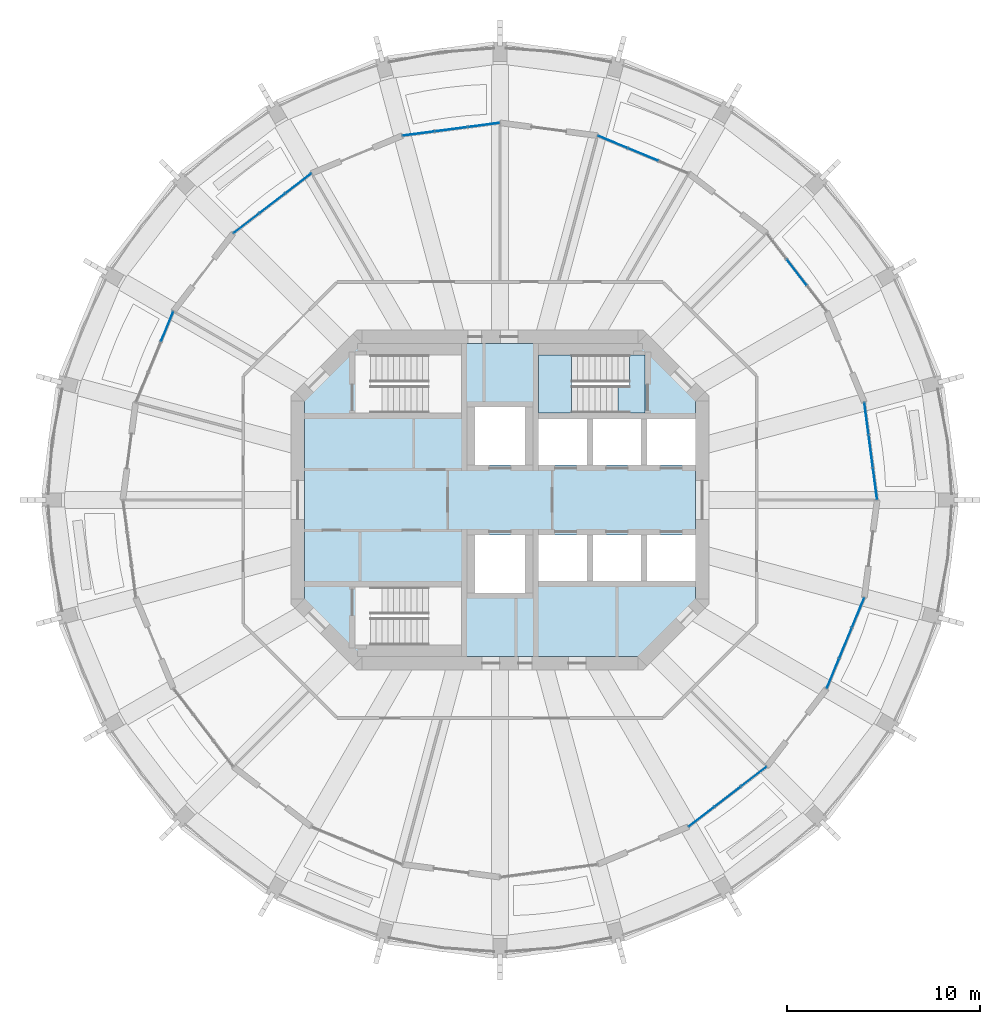
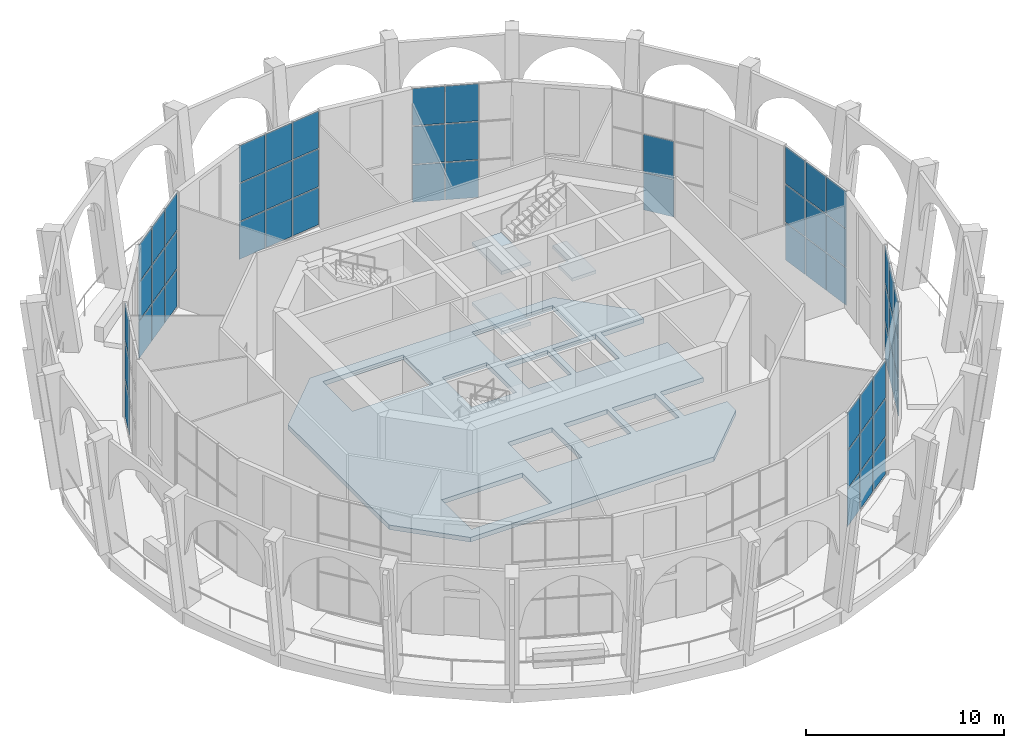
# One storey, part 8 of 16: 56 plates, 4 slabs, 9 elements without a shape of their own.
"""IFC4 building model written with IfcOpenShell, lengths in metres."""

from ifc_helpers import new_model, si_unit, direction, frame, origin, origin_2d, place, context, subcontext, project, spatial, polyline, rectangle, outline, extrude, material, layer, layer_set, type_object, element, aggregate, save


model = new_model("IFC4")

# Units and contexts
model_context = context("Model", 3, precision=1e-05, world=origin(), true_north=direction((0.0, 1.0)))
body_context = subcontext(model_context, "Body", "Model", "MODEL_VIEW")
ifc_project = project(units=[si_unit("LENGTHUNIT", "METRE"), si_unit("AREAUNIT", "SQUARE_METRE"), si_unit("VOLUMEUNIT", "CUBIC_METRE"), si_unit("PLANEANGLEUNIT", "RADIAN"), si_unit("MASSUNIT", "GRAM", prefix="KILO")], contexts=[model_context])

# Site, building, storey
site_placement = place(None, origin())
site = spatial("IfcSite", under=ifc_project, at=site_placement, CompositionType="ELEMENT")
building_placement = place(site_placement, origin())
building = spatial("IfcBuilding", under=site, at=building_placement, Name="Torre Triforio", CompositionType="ELEMENT")
storey_placement = place(building_placement, frame((0.0, 0.0, 218.699951171875)))
storey = spatial("IfcBuildingStorey", under=building, at=storey_placement, Name="L50", CompositionType="ELEMENT", Elevation=218.699951171875)

# Slab
ifc_material_1 = material(Name="Concrete C50", Category="concrete")
ifc_layer_1 = layer(ifc_material_1, 0.280029296875)
ifc_layer_set_1 = layer_set([ifc_layer_1], Name="Concrete C50")
slab_type_1 = type_object("IfcSlabType", Name="Core floor slab 280 mm C50 REI 120", PredefinedType="FLOOR", material=ifc_layer_set_1)
slab_1_placement = place(storey_placement, frame((0.0, 0.0, -0.280029296875)))
element("IfcSlab", 1, at=slab_1_placement, inside=storey, type_object=slab_type_1, Name="Core floor slab", PredefinedType="FLOOR", context=body_context, shape_type="SweptSolid", body=[
    extrude(outline(polyline([(10.10009765625, -5.10009765625), (7.10009765625, -8.10009765625), (-7.10009765625, -8.10009765625), (-10.10009765625, -5.10009765625), (-10.10009765625, 5.10009765625), (-7.10009765625, 8.10009765625), (7.10009765625, 8.10009765625), (10.10009765625, 5.10009765625), (10.10009765625, 4.199951171875), (7.60009765625, 4.199951171875), (7.60009765625, 1.800048828125), (10.10009765625, 1.800048828125), (10.10009765625, -1.800048828125), (7.60009765625, -1.800048828125), (7.60009765625, -4.199951171875), (10.10009765625, -4.199951171875), (10.10009765625, -5.10009765625)]), holes=[polyline([(-6.696044921875, -4.5), (-6.696044921875, -7.5), (-2.0, -7.5), (-2.0, -4.5), (-6.696044921875, -4.5)]), polyline([(-1.300048828125, -1.800048828125), (-1.300048828125, -4.800048828125), (1.300048828125, -4.800048828125), (1.300048828125, -1.800048828125), (-1.300048828125, -1.800048828125)]), polyline([(2.0, -1.800048828125), (2.0, -4.199951171875), (4.5, -4.199951171875), (4.5, -1.800048828125), (2.0, -1.800048828125)]), polyline([(4.5, 4.199951171875), (2.0, 4.199951171875), (2.0, 1.800048828125), (4.5, 1.800048828125), (4.5, 4.199951171875)]), polyline([(1.300048828125, 4.800048828125), (-1.300048828125, 4.800048828125), (-1.300048828125, 1.800048828125), (1.300048828125, 1.800048828125), (1.300048828125, 4.800048828125)]), polyline([(-6.696044921875, 7.5), (-6.696044921875, 4.5), (-2.0, 4.5), (-2.0, 7.5), (-6.696044921875, 7.5)]), polyline([(7.300048828125, -1.800048828125), (4.800048828125, -1.800048828125), (4.800048828125, -4.199951171875), (7.300048828125, -4.199951171875), (7.300048828125, -1.800048828125)]), polyline([(4.800048828125, 4.199951171875), (4.800048828125, 1.800048828125), (7.300048828125, 1.800048828125), (7.300048828125, 4.199951171875), (4.800048828125, 4.199951171875)]), polyline([(6.696044921875, 7.5), (2.0, 7.5), (2.0, 4.5), (6.696044921875, 4.5), (6.696044921875, 7.5)])]), origin(), (0.0, 0.0, 1.0), 0.280029296875),
])

# Curtain wall, plates
ifc_material_2 = material(Name="Aluminium mullion and transom frame with clear laminated glass", Category="aluminium")
curtain_wall_type = type_object("IfcCurtainWallType", Name="Sky garden conservatory wall ECW3", PredefinedType="NOTDEFINED", material=ifc_material_2)
curtain_wall_1_placement = place(storey_placement, origin())
curtain_wall_1 = element("IfcCurtainWall", 2, at=curtain_wall_1_placement, inside=storey, type_object=curtain_wall_type, Name="Conservatory wall L50 bay 01", PredefinedType="NOTDEFINED")
ifc_material_3 = material(Name="Clear laminated glass", Category="glass")
ifc_layer_2 = layer(ifc_material_3, 0.028076171875)
ifc_layer_set_2 = layer_set([ifc_layer_2], Name="Clear laminated glass")
plate_type = type_object("IfcPlateType", Name="ECW3 glass panel 28", PredefinedType="CURTAIN_PANEL", material=ifc_layer_set_2)
plate_1_placement = place(storey_placement, frame((19.389892578125, 0.836181640625, 0.06005859375), z_axis=(0.0, 0.0, 1.0), x_axis=(-0.130531857834, 0.991444115465, 0.0)))
plate_1 = element("IfcPlate", 3, at=plate_1_placement, type_object=plate_type, Name="ECW3 panel 1.1", PredefinedType="CURTAIN_PANEL", context=body_context, shape_type="SweptSolid", body=[
    extrude(rectangle(XDim=1.626708984375, YDim=0.028076171875, at=origin_2d()), origin(), (0.0, 0.0, 1.0), 2.283203125),
])
plate_2_placement = place(storey_placement, frame((19.389892578125, 0.836181640625, 2.4033203125), z_axis=(0.0, 0.0, 1.0), x_axis=(-0.130531857834, 0.991444115465, 0.0)))
plate_2 = element("IfcPlate", 4, at=plate_2_placement, type_object=plate_type, Name="ECW3 panel 1.2", PredefinedType="CURTAIN_PANEL", context=body_context, shape_type="SweptSolid", body=[
    extrude(rectangle(XDim=1.626708984375, YDim=0.028076171875, at=origin_2d()), origin(), (0.0, 0.0, 1.0), 2.3134765625),
])
plate_3_placement = place(storey_placement, frame((19.389892578125, 0.836181640625, 4.77685546875), z_axis=(0.0, 0.0, 1.0), x_axis=(-0.130531857834, 0.991444115465, 0.0)))
plate_3 = element("IfcPlate", 5, at=plate_3_placement, type_object=plate_type, Name="ECW3 panel 1.3", PredefinedType="CURTAIN_PANEL", context=body_context, shape_type="SweptSolid", body=[
    extrude(rectangle(XDim=1.626708984375, YDim=0.028076171875, at=origin_2d()), origin(), (0.0, 0.0, 1.0), 2.283203125),
])
plate_4_placement = place(storey_placement, frame((19.167724609375, 2.5234375, 0.06005859375), z_axis=(0.0, 0.0, 1.0), x_axis=(-0.130531857834, 0.991444115465, 0.0)))
plate_4 = element("IfcPlate", 6, at=plate_4_placement, type_object=plate_type, Name="ECW3 panel 2.1", PredefinedType="CURTAIN_PANEL", context=body_context, shape_type="SweptSolid", body=[
    extrude(rectangle(XDim=1.65673828125, YDim=0.028076171875, at=origin_2d()), origin(), (0.0, 0.0, 1.0), 2.283203125),
])
plate_5_placement = place(storey_placement, frame((19.167724609375, 2.5234375, 2.4033203125), z_axis=(0.0, 0.0, 1.0), x_axis=(-0.130531857834, 0.991444115465, 0.0)))
plate_5 = element("IfcPlate", 7, at=plate_5_placement, type_object=plate_type, Name="ECW3 panel 2.2", PredefinedType="CURTAIN_PANEL", context=body_context, shape_type="SweptSolid", body=[
    extrude(rectangle(XDim=1.65673828125, YDim=0.028076171875, at=origin_2d()), origin(), (0.0, 0.0, 1.0), 2.3134765625),
])
plate_6_placement = place(storey_placement, frame((19.167724609375, 2.5234375, 4.77685546875), z_axis=(0.0, 0.0, 1.0), x_axis=(-0.130531857834, 0.991444115465, 0.0)))
plate_6 = element("IfcPlate", 8, at=plate_6_placement, type_object=plate_type, Name="ECW3 panel 2.3", PredefinedType="CURTAIN_PANEL", context=body_context, shape_type="SweptSolid", body=[
    extrude(rectangle(XDim=1.65673828125, YDim=0.028076171875, at=origin_2d()), origin(), (0.0, 0.0, 1.0), 2.283203125),
])
plate_7_placement = place(storey_placement, frame((18.945556640625, 4.210693359375, 0.06005859375), z_axis=(0.0, 0.0, 1.0), x_axis=(-0.130531857834, 0.991444115465, 0.0)))
plate_7 = element("IfcPlate", 9, at=plate_7_placement, type_object=plate_type, Name="ECW3 panel 3.1", PredefinedType="CURTAIN_PANEL", context=body_context, shape_type="SweptSolid", body=[
    extrude(rectangle(XDim=1.626708984375, YDim=0.028076171875, at=origin_2d()), origin(), (0.0, 0.0, 1.0), 2.283203125),
])
plate_8_placement = place(storey_placement, frame((18.945556640625, 4.210693359375, 2.4033203125), z_axis=(0.0, 0.0, 1.0), x_axis=(-0.130531857834, 0.991444115465, 0.0)))
plate_8 = element("IfcPlate", 10, at=plate_8_placement, type_object=plate_type, Name="ECW3 panel 3.2", PredefinedType="CURTAIN_PANEL", context=body_context, shape_type="SweptSolid", body=[
    extrude(rectangle(XDim=1.626708984375, YDim=0.028076171875, at=origin_2d()), origin(), (0.0, 0.0, 1.0), 2.3134765625),
])
plate_9_placement = place(storey_placement, frame((18.945556640625, 4.210693359375, 4.77685546875), z_axis=(0.0, 0.0, 1.0), x_axis=(-0.130531857834, 0.991444115465, 0.0)))
plate_9 = element("IfcPlate", 11, at=plate_9_placement, type_object=plate_type, Name="ECW3 panel 3.3", PredefinedType="CURTAIN_PANEL", context=body_context, shape_type="SweptSolid", body=[
    extrude(rectangle(XDim=1.626708984375, YDim=0.028076171875, at=origin_2d()), origin(), (0.0, 0.0, 1.0), 2.283203125),
])
aggregate(curtain_wall_1, [plate_1, plate_2, plate_3, plate_4, plate_5, plate_6, plate_7, plate_8, plate_9])

curtain_wall_2_placement = place(storey_placement, origin())
curtain_wall_2 = element("IfcCurtainWall", 12, at=curtain_wall_2_placement, inside=storey, type_object=curtain_wall_type, Name="Conservatory wall L50 bay 03", PredefinedType="NOTDEFINED")
plate_10_placement = place(storey_placement, frame((15.338134765625, 11.769287109375, 0.06005859375), z_axis=(0.0, 0.0, 1.0), x_axis=(-0.608767351111, 0.793348796067, 0.0)))
plate_10 = element("IfcPlate", 13, at=plate_10_placement, type_object=plate_type, Name="ECW3 panel 2.1", PredefinedType="CURTAIN_PANEL", context=body_context, shape_type="SweptSolid", body=[
    extrude(rectangle(XDim=1.65673828125, YDim=0.028076171875, at=origin_2d()), origin(), (0.0, 0.0, 1.0), 2.283203125),
])
plate_11_placement = place(storey_placement, frame((15.338134765625, 11.769287109375, 2.4033203125), z_axis=(0.0, 0.0, 1.0), x_axis=(-0.608767351111, 0.793348796067, 0.0)))
plate_11 = element("IfcPlate", 14, at=plate_11_placement, type_object=plate_type, Name="ECW3 panel 2.2", PredefinedType="CURTAIN_PANEL", context=body_context, shape_type="SweptSolid", body=[
    extrude(rectangle(XDim=1.65673828125, YDim=0.028076171875, at=origin_2d()), origin(), (0.0, 0.0, 1.0), 2.3134765625),
])
aggregate(curtain_wall_2, [plate_10, plate_11])

curtain_wall_3_placement = place(storey_placement, origin())
curtain_wall_3 = element("IfcCurtainWall", 15, at=curtain_wall_3_placement, inside=storey, type_object=curtain_wall_type, Name="Conservatory wall L50 bay 05", PredefinedType="NOTDEFINED")
plate_12_placement = place(storey_placement, frame((7.3984375, 17.861572265625, 0.06005859375), z_axis=(0.0, 0.0, 1.0), x_axis=(-0.923879107955, 0.382684457334, 0.0)))
plate_12 = element("IfcPlate", 16, at=plate_12_placement, type_object=plate_type, Name="ECW3 panel 2.1", PredefinedType="CURTAIN_PANEL", context=body_context, shape_type="SweptSolid", body=[
    extrude(rectangle(XDim=1.65673828125, YDim=0.028076171875, at=origin_2d()), origin(), (0.0, 0.0, 1.0), 2.283203125),
])
plate_13_placement = place(storey_placement, frame((7.3984375, 17.861572265625, 2.4033203125), z_axis=(0.0, 0.0, 1.0), x_axis=(-0.923879107955, 0.382684457334, 0.0)))
plate_13 = element("IfcPlate", 17, at=plate_13_placement, type_object=plate_type, Name="ECW3 panel 2.2", PredefinedType="CURTAIN_PANEL", context=body_context, shape_type="SweptSolid", body=[
    extrude(rectangle(XDim=1.65673828125, YDim=0.028076171875, at=origin_2d()), origin(), (0.0, 0.0, 1.0), 2.3134765625),
])
plate_14_placement = place(storey_placement, frame((7.3984375, 17.861572265625, 4.77685546875), z_axis=(0.0, 0.0, 1.0), x_axis=(-0.923879107955, 0.382684457334, 0.0)))
plate_14 = element("IfcPlate", 18, at=plate_14_placement, type_object=plate_type, Name="ECW3 panel 2.3", PredefinedType="CURTAIN_PANEL", context=body_context, shape_type="SweptSolid", body=[
    extrude(rectangle(XDim=1.65673828125, YDim=0.028076171875, at=origin_2d()), origin(), (0.0, 0.0, 1.0), 2.283203125),
])
plate_15_placement = place(storey_placement, frame((5.826171875, 18.5126953125, 0.06005859375), z_axis=(0.0, 0.0, 1.0), x_axis=(-0.923879107955, 0.382684457334, 0.0)))
plate_15 = element("IfcPlate", 19, at=plate_15_placement, type_object=plate_type, Name="ECW3 panel 3.1", PredefinedType="CURTAIN_PANEL", context=body_context, shape_type="SweptSolid", body=[
    extrude(rectangle(XDim=1.626708984375, YDim=0.028076171875, at=origin_2d()), origin(), (0.0, 0.0, 1.0), 2.283203125),
])
plate_16_placement = place(storey_placement, frame((5.826171875, 18.5126953125, 2.4033203125), z_axis=(0.0, 0.0, 1.0), x_axis=(-0.923879107955, 0.382684457334, 0.0)))
plate_16 = element("IfcPlate", 20, at=plate_16_placement, type_object=plate_type, Name="ECW3 panel 3.2", PredefinedType="CURTAIN_PANEL", context=body_context, shape_type="SweptSolid", body=[
    extrude(rectangle(XDim=1.626708984375, YDim=0.028076171875, at=origin_2d()), origin(), (0.0, 0.0, 1.0), 2.3134765625),
])
plate_17_placement = place(storey_placement, frame((5.826171875, 18.5126953125, 4.77685546875), z_axis=(0.0, 0.0, 1.0), x_axis=(-0.923879107955, 0.382684457334, 0.0)))
plate_17 = element("IfcPlate", 21, at=plate_17_placement, type_object=plate_type, Name="ECW3 panel 3.3", PredefinedType="CURTAIN_PANEL", context=body_context, shape_type="SweptSolid", body=[
    extrude(rectangle(XDim=1.626708984375, YDim=0.028076171875, at=origin_2d()), origin(), (0.0, 0.0, 1.0), 2.283203125),
])
aggregate(curtain_wall_3, [plate_12, plate_13, plate_14, plate_15, plate_16, plate_17])

curtain_wall_4_placement = place(storey_placement, origin())
curtain_wall_4 = element("IfcCurtainWall", 22, at=curtain_wall_4_placement, inside=storey, type_object=curtain_wall_type, Name="Conservatory wall L50 bay 07", PredefinedType="NOTDEFINED")
plate_18_placement = place(storey_placement, frame((-0.836181640625, 19.389892578125, 0.06005859375), z_axis=(0.0, 0.0, 1.0), x_axis=(-0.991444115465, -0.130531857834, 0.0)))
plate_18 = element("IfcPlate", 23, at=plate_18_placement, type_object=plate_type, Name="ECW3 panel 1.1", PredefinedType="CURTAIN_PANEL", context=body_context, shape_type="SweptSolid", body=[
    extrude(rectangle(XDim=1.626708984375, YDim=0.028076171875, at=origin_2d()), origin(), (0.0, 0.0, 1.0), 2.283203125),
])
plate_19_placement = place(storey_placement, frame((-0.836181640625, 19.389892578125, 2.4033203125), z_axis=(0.0, 0.0, 1.0), x_axis=(-0.991444115465, -0.130531857834, 0.0)))
plate_19 = element("IfcPlate", 24, at=plate_19_placement, type_object=plate_type, Name="ECW3 panel 1.2", PredefinedType="CURTAIN_PANEL", context=body_context, shape_type="SweptSolid", body=[
    extrude(rectangle(XDim=1.626708984375, YDim=0.028076171875, at=origin_2d()), origin(), (0.0, 0.0, 1.0), 2.3134765625),
])
plate_20_placement = place(storey_placement, frame((-0.836181640625, 19.389892578125, 4.77685546875), z_axis=(0.0, 0.0, 1.0), x_axis=(-0.991444115465, -0.130531857834, 0.0)))
plate_20 = element("IfcPlate", 25, at=plate_20_placement, type_object=plate_type, Name="ECW3 panel 1.3", PredefinedType="CURTAIN_PANEL", context=body_context, shape_type="SweptSolid", body=[
    extrude(rectangle(XDim=1.626708984375, YDim=0.028076171875, at=origin_2d()), origin(), (0.0, 0.0, 1.0), 2.283203125),
])
plate_21_placement = place(storey_placement, frame((-2.5234375, 19.167724609375, 0.06005859375), z_axis=(0.0, 0.0, 1.0), x_axis=(-0.991444115465, -0.130531857834, 0.0)))
plate_21 = element("IfcPlate", 26, at=plate_21_placement, type_object=plate_type, Name="ECW3 panel 2.1", PredefinedType="CURTAIN_PANEL", context=body_context, shape_type="SweptSolid", body=[
    extrude(rectangle(XDim=1.65673828125, YDim=0.028076171875, at=origin_2d()), origin(), (0.0, 0.0, 1.0), 2.283203125),
])
plate_22_placement = place(storey_placement, frame((-2.5234375, 19.167724609375, 2.4033203125), z_axis=(0.0, 0.0, 1.0), x_axis=(-0.991444115465, -0.130531857834, 0.0)))
plate_22 = element("IfcPlate", 27, at=plate_22_placement, type_object=plate_type, Name="ECW3 panel 2.2", PredefinedType="CURTAIN_PANEL", context=body_context, shape_type="SweptSolid", body=[
    extrude(rectangle(XDim=1.65673828125, YDim=0.028076171875, at=origin_2d()), origin(), (0.0, 0.0, 1.0), 2.3134765625),
])
plate_23_placement = place(storey_placement, frame((-2.5234375, 19.167724609375, 4.77685546875), z_axis=(0.0, 0.0, 1.0), x_axis=(-0.991444115465, -0.130531857834, 0.0)))
plate_23 = element("IfcPlate", 28, at=plate_23_placement, type_object=plate_type, Name="ECW3 panel 2.3", PredefinedType="CURTAIN_PANEL", context=body_context, shape_type="SweptSolid", body=[
    extrude(rectangle(XDim=1.65673828125, YDim=0.028076171875, at=origin_2d()), origin(), (0.0, 0.0, 1.0), 2.283203125),
])
plate_24_placement = place(storey_placement, frame((-4.210693359375, 18.945556640625, 0.06005859375), z_axis=(0.0, 0.0, 1.0), x_axis=(-0.991444115465, -0.130531857834, 0.0)))
plate_24 = element("IfcPlate", 29, at=plate_24_placement, type_object=plate_type, Name="ECW3 panel 3.1", PredefinedType="CURTAIN_PANEL", context=body_context, shape_type="SweptSolid", body=[
    extrude(rectangle(XDim=1.626708984375, YDim=0.028076171875, at=origin_2d()), origin(), (0.0, 0.0, 1.0), 2.283203125),
])
plate_25_placement = place(storey_placement, frame((-4.210693359375, 18.945556640625, 2.4033203125), z_axis=(0.0, 0.0, 1.0), x_axis=(-0.991444115465, -0.130531857834, 0.0)))
plate_25 = element("IfcPlate", 30, at=plate_25_placement, type_object=plate_type, Name="ECW3 panel 3.2", PredefinedType="CURTAIN_PANEL", context=body_context, shape_type="SweptSolid", body=[
    extrude(rectangle(XDim=1.626708984375, YDim=0.028076171875, at=origin_2d()), origin(), (0.0, 0.0, 1.0), 2.3134765625),
])
plate_26_placement = place(storey_placement, frame((-4.210693359375, 18.945556640625, 4.77685546875), z_axis=(0.0, 0.0, 1.0), x_axis=(-0.991444115465, -0.130531857834, 0.0)))
plate_26 = element("IfcPlate", 31, at=plate_26_placement, type_object=plate_type, Name="ECW3 panel 3.3", PredefinedType="CURTAIN_PANEL", context=body_context, shape_type="SweptSolid", body=[
    extrude(rectangle(XDim=1.626708984375, YDim=0.028076171875, at=origin_2d()), origin(), (0.0, 0.0, 1.0), 2.283203125),
])
aggregate(curtain_wall_4, [plate_18, plate_19, plate_20, plate_21, plate_22, plate_23, plate_24, plate_25, plate_26])

curtain_wall_5_placement = place(storey_placement, origin())
curtain_wall_5 = element("IfcCurtainWall", 32, at=curtain_wall_5_placement, inside=storey, type_object=curtain_wall_type, Name="Conservatory wall L50 bay 09", PredefinedType="NOTDEFINED")
plate_27_placement = place(storey_placement, frame((-10.419189453125, 16.3740234375, 0.06005859375), z_axis=(0.0, 0.0, 1.0), x_axis=(-0.793348796067, -0.608767351111, 0.0)))
plate_27 = element("IfcPlate", 33, at=plate_27_placement, type_object=plate_type, Name="ECW3 panel 1.1", PredefinedType="CURTAIN_PANEL", context=body_context, shape_type="SweptSolid", body=[
    extrude(rectangle(XDim=1.626953125, YDim=0.028076171875, at=origin_2d()), origin(), (0.0, 0.0, 1.0), 2.283203125),
])
plate_28_placement = place(storey_placement, frame((-10.419189453125, 16.3740234375, 2.4033203125), z_axis=(0.0, 0.0, 1.0), x_axis=(-0.793348796067, -0.608767351111, 0.0)))
plate_28 = element("IfcPlate", 34, at=plate_28_placement, type_object=plate_type, Name="ECW3 panel 1.2", PredefinedType="CURTAIN_PANEL", context=body_context, shape_type="SweptSolid", body=[
    extrude(rectangle(XDim=1.626953125, YDim=0.028076171875, at=origin_2d()), origin(), (0.0, 0.0, 1.0), 2.3134765625),
])
plate_29_placement = place(storey_placement, frame((-10.419189453125, 16.3740234375, 4.77685546875), z_axis=(0.0, 0.0, 1.0), x_axis=(-0.793348796067, -0.608767351111, 0.0)))
plate_29 = element("IfcPlate", 35, at=plate_29_placement, type_object=plate_type, Name="ECW3 panel 1.3", PredefinedType="CURTAIN_PANEL", context=body_context, shape_type="SweptSolid", body=[
    extrude(rectangle(XDim=1.626953125, YDim=0.028076171875, at=origin_2d()), origin(), (0.0, 0.0, 1.0), 2.283203125),
])
plate_30_placement = place(storey_placement, frame((-11.769287109375, 15.338134765625, 0.06005859375), z_axis=(0.0, 0.0, 1.0), x_axis=(-0.793348796067, -0.608767351111, 0.0)))
plate_30 = element("IfcPlate", 36, at=plate_30_placement, type_object=plate_type, Name="ECW3 panel 2.1", PredefinedType="CURTAIN_PANEL", context=body_context, shape_type="SweptSolid", body=[
    extrude(rectangle(XDim=1.65673828125, YDim=0.028076171875, at=origin_2d()), origin(), (0.0, 0.0, 1.0), 2.283203125),
])
plate_31_placement = place(storey_placement, frame((-11.769287109375, 15.338134765625, 2.4033203125), z_axis=(0.0, 0.0, 1.0), x_axis=(-0.793348796067, -0.608767351111, 0.0)))
plate_31 = element("IfcPlate", 37, at=plate_31_placement, type_object=plate_type, Name="ECW3 panel 2.2", PredefinedType="CURTAIN_PANEL", context=body_context, shape_type="SweptSolid", body=[
    extrude(rectangle(XDim=1.65673828125, YDim=0.028076171875, at=origin_2d()), origin(), (0.0, 0.0, 1.0), 2.3134765625),
])
plate_32_placement = place(storey_placement, frame((-11.769287109375, 15.338134765625, 4.77685546875), z_axis=(0.0, 0.0, 1.0), x_axis=(-0.793348796067, -0.608767351111, 0.0)))
plate_32 = element("IfcPlate", 38, at=plate_32_placement, type_object=plate_type, Name="ECW3 panel 2.3", PredefinedType="CURTAIN_PANEL", context=body_context, shape_type="SweptSolid", body=[
    extrude(rectangle(XDim=1.65673828125, YDim=0.028076171875, at=origin_2d()), origin(), (0.0, 0.0, 1.0), 2.283203125),
])
plate_33_placement = place(storey_placement, frame((-13.119384765625, 14.302001953125, 0.06005859375), z_axis=(0.0, 0.0, 1.0), x_axis=(-0.793348796067, -0.608767351111, 0.0)))
plate_33 = element("IfcPlate", 39, at=plate_33_placement, type_object=plate_type, Name="ECW3 panel 3.1", PredefinedType="CURTAIN_PANEL", context=body_context, shape_type="SweptSolid", body=[
    extrude(rectangle(XDim=1.626953125, YDim=0.028076171875, at=origin_2d()), origin(), (0.0, 0.0, 1.0), 2.283203125),
])
plate_34_placement = place(storey_placement, frame((-13.119384765625, 14.302001953125, 2.4033203125), z_axis=(0.0, 0.0, 1.0), x_axis=(-0.793348796067, -0.608767351111, 0.0)))
plate_34 = element("IfcPlate", 40, at=plate_34_placement, type_object=plate_type, Name="ECW3 panel 3.2", PredefinedType="CURTAIN_PANEL", context=body_context, shape_type="SweptSolid", body=[
    extrude(rectangle(XDim=1.626953125, YDim=0.028076171875, at=origin_2d()), origin(), (0.0, 0.0, 1.0), 2.3134765625),
])
plate_35_placement = place(storey_placement, frame((-13.119384765625, 14.302001953125, 4.77685546875), z_axis=(0.0, 0.0, 1.0), x_axis=(-0.793348796067, -0.608767351111, 0.0)))
plate_35 = element("IfcPlate", 41, at=plate_35_placement, type_object=plate_type, Name="ECW3 panel 3.3", PredefinedType="CURTAIN_PANEL", context=body_context, shape_type="SweptSolid", body=[
    extrude(rectangle(XDim=1.626953125, YDim=0.028076171875, at=origin_2d()), origin(), (0.0, 0.0, 1.0), 2.283203125),
])
aggregate(curtain_wall_5, [plate_27, plate_28, plate_29, plate_30, plate_31, plate_32, plate_33, plate_34, plate_35])

curtain_wall_6_placement = place(storey_placement, origin())
curtain_wall_6 = element("IfcCurtainWall", 42, at=curtain_wall_6_placement, inside=storey, type_object=curtain_wall_type, Name="Conservatory wall L50 bay 11", PredefinedType="NOTDEFINED")
plate_36_placement = place(storey_placement, frame((-17.210205078125, 8.970703125, 0.06005859375), z_axis=(0.0, 0.0, 1.0), x_axis=(-0.382684457334, -0.923879107955, 0.0)))
plate_36 = element("IfcPlate", 43, at=plate_36_placement, type_object=plate_type, Name="ECW3 panel 1.1", PredefinedType="CURTAIN_PANEL", context=body_context, shape_type="SweptSolid", body=[
    extrude(rectangle(XDim=1.626708984375, YDim=0.028076171875, at=origin_2d()), origin(), (0.0, 0.0, 1.0), 2.283203125),
])
plate_37_placement = place(storey_placement, frame((-17.210205078125, 8.970703125, 2.4033203125), z_axis=(0.0, 0.0, 1.0), x_axis=(-0.382684457334, -0.923879107955, 0.0)))
plate_37 = element("IfcPlate", 44, at=plate_37_placement, type_object=plate_type, Name="ECW3 panel 1.2", PredefinedType="CURTAIN_PANEL", context=body_context, shape_type="SweptSolid", body=[
    extrude(rectangle(XDim=1.626708984375, YDim=0.028076171875, at=origin_2d()), origin(), (0.0, 0.0, 1.0), 2.3134765625),
])
plate_38_placement = place(storey_placement, frame((-17.210205078125, 8.970703125, 4.77685546875), z_axis=(0.0, 0.0, 1.0), x_axis=(-0.382684457334, -0.923879107955, 0.0)))
plate_38 = element("IfcPlate", 45, at=plate_38_placement, type_object=plate_type, Name="ECW3 panel 1.3", PredefinedType="CURTAIN_PANEL", context=body_context, shape_type="SweptSolid", body=[
    extrude(rectangle(XDim=1.626708984375, YDim=0.028076171875, at=origin_2d()), origin(), (0.0, 0.0, 1.0), 2.283203125),
])
aggregate(curtain_wall_6, [plate_36, plate_37, plate_38])

curtain_wall_7_placement = place(storey_placement, origin())
curtain_wall_7 = element("IfcCurtainWall", 46, at=curtain_wall_7_placement, inside=storey, type_object=curtain_wall_type, Name="Conservatory wall L50 bay 21", PredefinedType="NOTDEFINED")
plate_39_placement = place(storey_placement, frame((10.419189453125, -16.3740234375, 0.06005859375), z_axis=(0.0, 0.0, 1.0), x_axis=(0.793348796067, 0.608767351111, 0.0)))
plate_39 = element("IfcPlate", 47, at=plate_39_placement, type_object=plate_type, Name="ECW3 panel 1.1", PredefinedType="CURTAIN_PANEL", context=body_context, shape_type="SweptSolid", body=[
    extrude(rectangle(XDim=1.626953125, YDim=0.028076171875, at=origin_2d()), origin(), (0.0, 0.0, 1.0), 2.283203125),
])
plate_40_placement = place(storey_placement, frame((10.419189453125, -16.3740234375, 2.4033203125), z_axis=(0.0, 0.0, 1.0), x_axis=(0.793348796067, 0.608767351111, 0.0)))
plate_40 = element("IfcPlate", 48, at=plate_40_placement, type_object=plate_type, Name="ECW3 panel 1.2", PredefinedType="CURTAIN_PANEL", context=body_context, shape_type="SweptSolid", body=[
    extrude(rectangle(XDim=1.626953125, YDim=0.028076171875, at=origin_2d()), origin(), (0.0, 0.0, 1.0), 2.3134765625),
])
plate_41_placement = place(storey_placement, frame((10.419189453125, -16.3740234375, 4.77685546875), z_axis=(0.0, 0.0, 1.0), x_axis=(0.793348796067, 0.608767351111, 0.0)))
plate_41 = element("IfcPlate", 49, at=plate_41_placement, type_object=plate_type, Name="ECW3 panel 1.3", PredefinedType="CURTAIN_PANEL", context=body_context, shape_type="SweptSolid", body=[
    extrude(rectangle(XDim=1.626953125, YDim=0.028076171875, at=origin_2d()), origin(), (0.0, 0.0, 1.0), 2.283203125),
])
plate_42_placement = place(storey_placement, frame((11.769287109375, -15.338134765625, 0.06005859375), z_axis=(0.0, 0.0, 1.0), x_axis=(0.793348796067, 0.608767351111, 0.0)))
plate_42 = element("IfcPlate", 50, at=plate_42_placement, type_object=plate_type, Name="ECW3 panel 2.1", PredefinedType="CURTAIN_PANEL", context=body_context, shape_type="SweptSolid", body=[
    extrude(rectangle(XDim=1.65673828125, YDim=0.028076171875, at=origin_2d()), origin(), (0.0, 0.0, 1.0), 2.283203125),
])
plate_43_placement = place(storey_placement, frame((11.769287109375, -15.338134765625, 2.4033203125), z_axis=(0.0, 0.0, 1.0), x_axis=(0.793348796067, 0.608767351111, 0.0)))
plate_43 = element("IfcPlate", 51, at=plate_43_placement, type_object=plate_type, Name="ECW3 panel 2.2", PredefinedType="CURTAIN_PANEL", context=body_context, shape_type="SweptSolid", body=[
    extrude(rectangle(XDim=1.65673828125, YDim=0.028076171875, at=origin_2d()), origin(), (0.0, 0.0, 1.0), 2.3134765625),
])
plate_44_placement = place(storey_placement, frame((11.769287109375, -15.338134765625, 4.77685546875), z_axis=(0.0, 0.0, 1.0), x_axis=(0.793348796067, 0.608767351111, 0.0)))
plate_44 = element("IfcPlate", 52, at=plate_44_placement, type_object=plate_type, Name="ECW3 panel 2.3", PredefinedType="CURTAIN_PANEL", context=body_context, shape_type="SweptSolid", body=[
    extrude(rectangle(XDim=1.65673828125, YDim=0.028076171875, at=origin_2d()), origin(), (0.0, 0.0, 1.0), 2.283203125),
])
plate_45_placement = place(storey_placement, frame((13.119384765625, -14.302001953125, 0.06005859375), z_axis=(0.0, 0.0, 1.0), x_axis=(0.793348796067, 0.608767351111, 0.0)))
plate_45 = element("IfcPlate", 53, at=plate_45_placement, type_object=plate_type, Name="ECW3 panel 3.1", PredefinedType="CURTAIN_PANEL", context=body_context, shape_type="SweptSolid", body=[
    extrude(rectangle(XDim=1.626953125, YDim=0.028076171875, at=origin_2d()), origin(), (0.0, 0.0, 1.0), 2.283203125),
])
plate_46_placement = place(storey_placement, frame((13.119384765625, -14.302001953125, 2.4033203125), z_axis=(0.0, 0.0, 1.0), x_axis=(0.793348796067, 0.608767351111, 0.0)))
plate_46 = element("IfcPlate", 54, at=plate_46_placement, type_object=plate_type, Name="ECW3 panel 3.2", PredefinedType="CURTAIN_PANEL", context=body_context, shape_type="SweptSolid", body=[
    extrude(rectangle(XDim=1.626953125, YDim=0.028076171875, at=origin_2d()), origin(), (0.0, 0.0, 1.0), 2.3134765625),
])
plate_47_placement = place(storey_placement, frame((13.119384765625, -14.302001953125, 4.77685546875), z_axis=(0.0, 0.0, 1.0), x_axis=(0.793348796067, 0.608767351111, 0.0)))
plate_47 = element("IfcPlate", 55, at=plate_47_placement, type_object=plate_type, Name="ECW3 panel 3.3", PredefinedType="CURTAIN_PANEL", context=body_context, shape_type="SweptSolid", body=[
    extrude(rectangle(XDim=1.626953125, YDim=0.028076171875, at=origin_2d()), origin(), (0.0, 0.0, 1.0), 2.283203125),
])
aggregate(curtain_wall_7, [plate_39, plate_40, plate_41, plate_42, plate_43, plate_44, plate_45, plate_46, plate_47])

curtain_wall_8_placement = place(storey_placement, origin())
curtain_wall_8 = element("IfcCurtainWall", 56, at=curtain_wall_8_placement, inside=storey, type_object=curtain_wall_type, Name="Conservatory wall L50 bay 23", PredefinedType="NOTDEFINED")
plate_48_placement = place(storey_placement, frame((17.210205078125, -8.970703125, 0.06005859375), z_axis=(0.0, 0.0, 1.0), x_axis=(0.382684457334, 0.923879107955, 0.0)))
plate_48 = element("IfcPlate", 57, at=plate_48_placement, type_object=plate_type, Name="ECW3 panel 1.1", PredefinedType="CURTAIN_PANEL", context=body_context, shape_type="SweptSolid", body=[
    extrude(rectangle(XDim=1.626708984375, YDim=0.028076171875, at=origin_2d()), origin(), (0.0, 0.0, 1.0), 2.283203125),
])
plate_49_placement = place(storey_placement, frame((17.210205078125, -8.970703125, 2.4033203125), z_axis=(0.0, 0.0, 1.0), x_axis=(0.382684457334, 0.923879107955, 0.0)))
plate_49 = element("IfcPlate", 58, at=plate_49_placement, type_object=plate_type, Name="ECW3 panel 1.2", PredefinedType="CURTAIN_PANEL", context=body_context, shape_type="SweptSolid", body=[
    extrude(rectangle(XDim=1.626708984375, YDim=0.028076171875, at=origin_2d()), origin(), (0.0, 0.0, 1.0), 2.3134765625),
])
plate_50_placement = place(storey_placement, frame((17.210205078125, -8.970703125, 4.77685546875), z_axis=(0.0, 0.0, 1.0), x_axis=(0.382684457334, 0.923879107955, 0.0)))
plate_50 = element("IfcPlate", 59, at=plate_50_placement, type_object=plate_type, Name="ECW3 panel 1.3", PredefinedType="CURTAIN_PANEL", context=body_context, shape_type="SweptSolid", body=[
    extrude(rectangle(XDim=1.626708984375, YDim=0.028076171875, at=origin_2d()), origin(), (0.0, 0.0, 1.0), 2.283203125),
])
plate_51_placement = place(storey_placement, frame((17.861572265625, -7.3984375, 0.06005859375), z_axis=(0.0, 0.0, 1.0), x_axis=(0.382684457334, 0.923879107955, 0.0)))
plate_51 = element("IfcPlate", 60, at=plate_51_placement, type_object=plate_type, Name="ECW3 panel 2.1", PredefinedType="CURTAIN_PANEL", context=body_context, shape_type="SweptSolid", body=[
    extrude(rectangle(XDim=1.65673828125, YDim=0.028076171875, at=origin_2d()), origin(), (0.0, 0.0, 1.0), 2.283203125),
])
plate_52_placement = place(storey_placement, frame((17.861572265625, -7.3984375, 2.4033203125), z_axis=(0.0, 0.0, 1.0), x_axis=(0.382684457334, 0.923879107955, 0.0)))
plate_52 = element("IfcPlate", 61, at=plate_52_placement, type_object=plate_type, Name="ECW3 panel 2.2", PredefinedType="CURTAIN_PANEL", context=body_context, shape_type="SweptSolid", body=[
    extrude(rectangle(XDim=1.65673828125, YDim=0.028076171875, at=origin_2d()), origin(), (0.0, 0.0, 1.0), 2.3134765625),
])
plate_53_placement = place(storey_placement, frame((17.861572265625, -7.3984375, 4.77685546875), z_axis=(0.0, 0.0, 1.0), x_axis=(0.382684457334, 0.923879107955, 0.0)))
plate_53 = element("IfcPlate", 62, at=plate_53_placement, type_object=plate_type, Name="ECW3 panel 2.3", PredefinedType="CURTAIN_PANEL", context=body_context, shape_type="SweptSolid", body=[
    extrude(rectangle(XDim=1.65673828125, YDim=0.028076171875, at=origin_2d()), origin(), (0.0, 0.0, 1.0), 2.283203125),
])
plate_54_placement = place(storey_placement, frame((18.5126953125, -5.826171875, 0.06005859375), z_axis=(0.0, 0.0, 1.0), x_axis=(0.382684457334, 0.923879107955, 0.0)))
plate_54 = element("IfcPlate", 63, at=plate_54_placement, type_object=plate_type, Name="ECW3 panel 3.1", PredefinedType="CURTAIN_PANEL", context=body_context, shape_type="SweptSolid", body=[
    extrude(rectangle(XDim=1.626708984375, YDim=0.028076171875, at=origin_2d()), origin(), (0.0, 0.0, 1.0), 2.283203125),
])
plate_55_placement = place(storey_placement, frame((18.5126953125, -5.826171875, 2.4033203125), z_axis=(0.0, 0.0, 1.0), x_axis=(0.382684457334, 0.923879107955, 0.0)))
plate_55 = element("IfcPlate", 64, at=plate_55_placement, type_object=plate_type, Name="ECW3 panel 3.2", PredefinedType="CURTAIN_PANEL", context=body_context, shape_type="SweptSolid", body=[
    extrude(rectangle(XDim=1.626708984375, YDim=0.028076171875, at=origin_2d()), origin(), (0.0, 0.0, 1.0), 2.3134765625),
])
plate_56_placement = place(storey_placement, frame((18.5126953125, -5.826171875, 4.77685546875), z_axis=(0.0, 0.0, 1.0), x_axis=(0.382684457334, 0.923879107955, 0.0)))
plate_56 = element("IfcPlate", 65, at=plate_56_placement, type_object=plate_type, Name="ECW3 panel 3.3", PredefinedType="CURTAIN_PANEL", context=body_context, shape_type="SweptSolid", body=[
    extrude(rectangle(XDim=1.626708984375, YDim=0.028076171875, at=origin_2d()), origin(), (0.0, 0.0, 1.0), 2.283203125),
])
aggregate(curtain_wall_8, [plate_48, plate_49, plate_50, plate_51, plate_52, plate_53, plate_54, plate_55, plate_56])

# Stair, slabs
ifc_material_4 = material(Name="Concrete C40", Category="concrete")
stair_type = type_object("IfcStairType", Name="STAIR DOUBLE RETURN", PredefinedType="DOUBLE_RETURN_STAIR", material=ifc_material_4)
stair_placement = place(storey_placement, origin())
stair = element("IfcStair", 66, at=stair_placement, inside=storey, type_object=stair_type, Name="Exit stair 2", PredefinedType="DOUBLE_RETURN_STAIR")
ifc_layer_3 = layer(ifc_material_4, 0.199951171875)
ifc_layer_set_3 = layer_set([ifc_layer_3], Name="Concrete C40")
slab_type_2 = type_object("IfcSlabType", Name="STAIR LANDING 200", PredefinedType="LANDING", material=ifc_layer_set_3)
slab_2_placement = place(storey_placement, frame((0.0, 0.0, 1.650146484375)))
slab_2 = element("IfcSlab", 67, at=slab_2_placement, type_object=slab_type_2, Name="ST2 landing 1", PredefinedType="LANDING", context=body_context, shape_type="SweptSolid", body=[
    extrude(outline(polyline([(3.699951171875, 4.5), (3.699951171875, 7.5), (2.0, 7.5), (2.0, 4.5), (3.699951171875, 4.5)])), origin(), (0.0, 0.0, 1.0), 0.199951171875),
])
slab_3_placement = place(storey_placement, frame((0.0, 0.0, 3.5)))
slab_3 = element("IfcSlab", 68, at=slab_3_placement, type_object=slab_type_2, Name="ST2 landing 2", PredefinedType="LANDING", context=body_context, shape_type="SweptSolid", body=[
    extrude(outline(polyline([(6.10009765625, 4.5), (6.10009765625, 5.89990234375), (6.696044921875, 5.89990234375), (6.696044921875, 7.5), (7.5, 7.5), (7.5, 4.5), (6.699951171875, 4.5), (6.696044921875, 4.5), (6.10009765625, 4.5)])), origin(), (0.0, 0.0, 1.0), 0.199951171875),
])
slab_4_placement = place(storey_placement, frame((0.0, 0.0, 5.35009765625)))
slab_4 = element("IfcSlab", 69, at=slab_4_placement, type_object=slab_type_2, Name="ST2 landing 3", PredefinedType="LANDING", context=body_context, shape_type="SweptSolid", body=[
    extrude(outline(polyline([(3.699951171875, 4.5), (3.699951171875, 7.5), (2.0, 7.5), (2.0, 4.5), (3.699951171875, 4.5)])), origin(), (0.0, 0.0, 1.0), 0.199951171875),
])
aggregate(stair, [slab_2, slab_3, slab_4])

save(model, "model.ifc")
